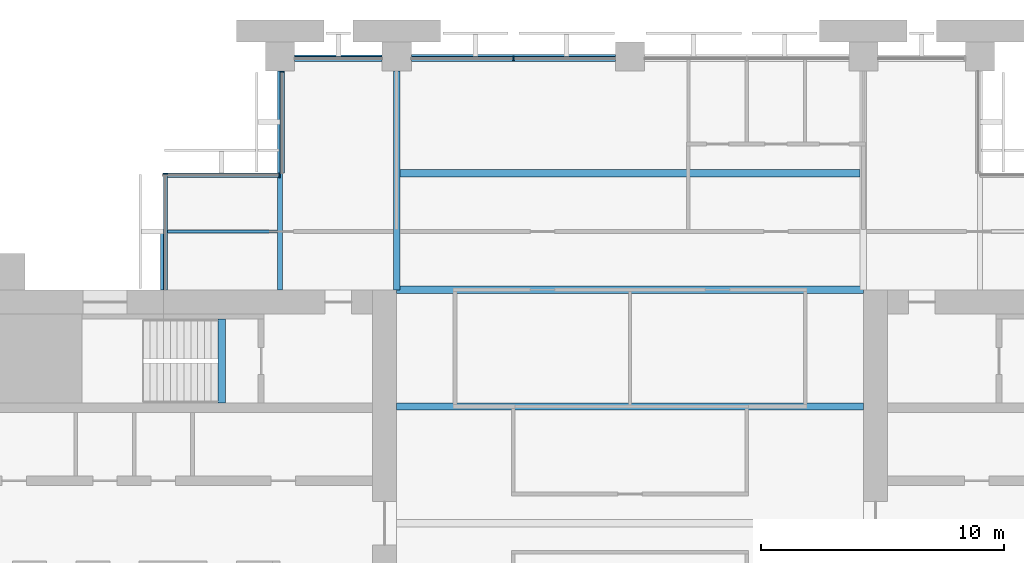
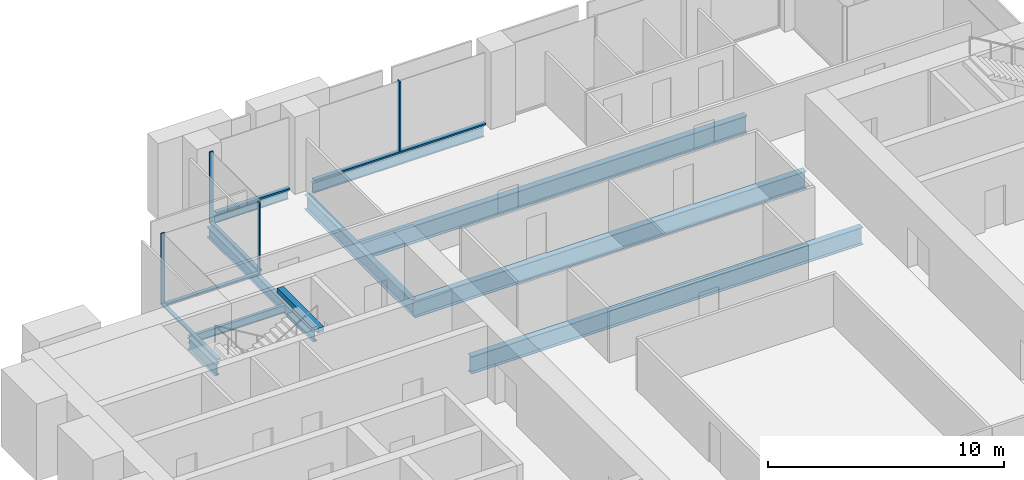
# One storey, part 5 of 13: 10 beams, 9 members, 4 elements without a shape of their own.
"""IFC4 building model written with IfcOpenShell, lengths in metres."""

import ifcopenshell
import ifcopenshell.guid

model = None  # the IFC model being written
_history = None  # IfcOwnerHistory: only IFC2X3 demands one
_inside = {}  # id of a spatial element -> (the spatial element, [elements in it])
_under = {}  # id of a project, library or spatial element -> (it, [spatial elements below it])
_declared = {}  # id of a project -> (the project, [libraries it declares])
_typed = {}  # id of a type object -> (the type object, [elements of that type])
_made_of = {}  # id of a material, layer set ... -> (it, [elements and type objects made of it])


def new_model(schema):
    """Start an empty IFC model of exactly this schema.

    Asked for "IFC4X3", IfcOpenShell would pick the latest addendum, in which some entities
    have other attributes; the version numbers below select the first issue.
    IFC2X3 requires an IfcOwnerHistory on every rooted entity: one is made here for all.
    """
    global model, _history
    if schema == "IFC4X3":
        model = ifcopenshell.file(schema_version=(4, 3, 0, 0))
    else:
        model = ifcopenshell.file(schema=schema)
    _inside.clear()
    _under.clear()
    _declared.clear()
    _typed.clear()
    _made_of.clear()
    _history = None
    if model.schema == "IFC2X3":
        org = make("IfcOrganization", Name="unknown")
        user = make(
            "IfcPersonAndOrganization",
            ThePerson=make("IfcPerson", FamilyName="unknown"),
            TheOrganization=org,
        )
        app = make(
            "IfcApplication",
            ApplicationDeveloper=org,
            Version="unknown",
            ApplicationFullName="unknown",
            ApplicationIdentifier="unknown",
        )
        _history = make(
            "IfcOwnerHistory",
            OwningUser=user,
            OwningApplication=app,
            ChangeAction="ADDED",
            CreationDate=0,
        )
    return model


def make(cls, **values):
    """One entity of the class cls with the attributes given. An attribute that is None is left unset."""
    return model.create_entity(
        cls, **{name: value for name, value in values.items() if value is not None}
    )


def rooted(cls, **values):
    """An entity with a GlobalId (a new one), such as an element, a storey or a relation."""
    return make(cls, GlobalId=ifcopenshell.guid.new(), OwnerHistory=_history, **values)


def si_unit(unit_type, name, prefix=None):
    """IfcSIUnit, for example si_unit("LENGTHUNIT", "METRE", prefix="MILLI")."""
    return make("IfcSIUnit", UnitType=unit_type, Prefix=prefix, Name=name)


def assignment(units):
    """IfcUnitAssignment: the units of a project."""
    return None if units is None else make("IfcUnitAssignment", Units=units)


def point(xyz):
    """IfcCartesianPoint."""
    return None if xyz is None else make("IfcCartesianPoint", Coordinates=xyz)


def direction(xyz):
    """IfcDirection."""
    return None if xyz is None else make("IfcDirection", DirectionRatios=xyz)


def frame(location, z_axis=None, x_axis=None):
    """IfcAxis2Placement3D, a coordinate frame: its origin and axes. An axis left out is left unset."""
    return make(
        "IfcAxis2Placement3D",
        Location=point(location),
        Axis=direction(z_axis),
        RefDirection=direction(x_axis),
    )


def frame_2d(location, x_axis=None):
    """IfcAxis2Placement2D, a coordinate frame in the plane: its origin and x axis."""
    return make(
        "IfcAxis2Placement2D", Location=point(location), RefDirection=direction(x_axis)
    )


def origin():
    """The frame at (0, 0, 0) with its axes left unset."""
    return frame((0.0, 0.0, 0.0))


def origin_2d():
    """The frame at (0, 0) in the plane with its x axis left unset."""
    return frame_2d((0.0, 0.0))


def place(relative_to, where):
    """IfcLocalPlacement: puts the frame where relative to a parent placement (None: the world)."""
    return make(
        "IfcLocalPlacement", PlacementRelTo=relative_to, RelativePlacement=where
    )


def context(
    kind, dimensions, precision=None, world=None, true_north=None, identifier=None
):
    """IfcGeometricRepresentationContext, for example the 3D "Model" context."""
    return make(
        "IfcGeometricRepresentationContext",
        ContextIdentifier=identifier,
        ContextType=kind,
        CoordinateSpaceDimension=dimensions,
        Precision=precision,
        WorldCoordinateSystem=world,
        TrueNorth=true_north,
    )


def subcontext(parent, identifier, kind, view, scale=None):
    """IfcGeometricRepresentationSubContext, for example "Body" below "Model"."""
    return make(
        "IfcGeometricRepresentationSubContext",
        ContextIdentifier=identifier,
        ContextType=kind,
        ParentContext=parent,
        TargetScale=scale,
        TargetView=view,
    )


def project(units=None, contexts=None):
    """IfcProject with its units and contexts."""
    return rooted(
        "IfcProject",
        Name="project",
        RepresentationContexts=contexts,
        UnitsInContext=assignment(units),
    )


def spatial(cls, under=None, at=None, **own):
    """A site, building, storey or space (cls), placed at a placement, below another one or the project."""
    s = rooted(cls, ObjectPlacement=at, **own)
    if under is not None:
        _under.setdefault(under.id(), (under, []))[1].append(s)
    return s


def profile(cls, at=None, kind="AREA", **sizes):
    """A parametric profile (cls). Its sizes go by their IFC names, for example OverallWidth=200.0."""
    return make(cls, ProfileType=kind, Position=at, **sizes)


def rectangle(**sizes):
    """IfcRectangleProfileDef."""
    return profile("IfcRectangleProfileDef", **sizes)


def i_section(**sizes):
    """IfcIShapeProfileDef."""
    return profile("IfcIShapeProfileDef", **sizes)


def extrude(swept, where, along, depth):
    """IfcExtrudedAreaSolid: the profile swept, set in the frame where, extruded along a direction by depth."""
    return make(
        "IfcExtrudedAreaSolid",
        SweptArea=swept,
        Position=where,
        ExtrudedDirection=direction(along),
        Depth=depth,
    )


def shape(context_of_items, identifier, shape_type, items):
    """IfcShapeRepresentation: the items that make up one representation, for example the "Body"."""
    return make(
        "IfcShapeRepresentation",
        ContextOfItems=context_of_items,
        RepresentationIdentifier=identifier,
        RepresentationType=shape_type,
        Items=items,
    )


def material(Name=None, Category=None):
    """IfcMaterial."""
    return make("IfcMaterial", Name=Name, Category=Category)


def material_profile(
    of_material, cross_section, Name=None, Category=None, Priority=None
):
    """IfcMaterialProfile: a cross section and its material."""
    return make(
        "IfcMaterialProfile",
        Name=Name,
        Material=of_material,
        Profile=cross_section,
        Priority=Priority,
        Category=Category,
    )


def profile_set(profiles, Name=None, composite=None):
    """IfcMaterialProfileSet."""
    return make(
        "IfcMaterialProfileSet",
        Name=Name,
        MaterialProfiles=profiles,
        CompositeProfile=composite,
    )


def made_of(thing, what):
    """Note that an element or type object is made of a material, layer set ...; save() writes the relation."""
    if what is not None:
        _made_of.setdefault(what.id(), (what, []))[1].append(thing)
    return thing


def type_object(cls, material=None, **own):
    """A type object (cls), such as IfcWallType, which elements share."""
    return made_of(rooted(cls, **own), material)


def element(
    cls,
    number,
    at=None,
    inside=None,
    cuts=None,
    type_object=None,
    material=None,
    context=None,
    identifier="Body",
    shape_type=None,
    held_by="IfcProductDefinitionShape",
    body=None,
    shapes=None,
    **own,
):
    """One element of the class cls, such as IfcWall. Its Tag is "e" and its number.

    at: its placement. inside: the storey or other place that contains it. cuts: it is an
    opening in that element (IfcRelVoidsElement). A single representation is given by context,
    identifier, shape_type and body (its items); several are given by shapes. held_by: the class
    of the entity that holds the representations. save() writes the other relations.
    """
    e = rooted(cls, Tag="e%d" % number, ObjectPlacement=at, **own)
    if body is not None:
        shapes = [shape(context, identifier, shape_type, body)]
    if shapes is not None:
        e.Representation = make(held_by, Representations=shapes)
    if inside is not None:
        _inside.setdefault(inside.id(), (inside, []))[1].append(e)
    if cuts is not None:
        rooted(
            "IfcRelVoidsElement", RelatingBuildingElement=cuts, RelatedOpeningElement=e
        )
    if type_object is not None:
        _typed.setdefault(type_object.id(), (type_object, []))[1].append(e)
    return made_of(e, material)


def aggregate(whole, parts):
    """IfcRelAggregates: a whole, such as a stair, and the parts it consists of."""
    return rooted("IfcRelAggregates", RelatingObject=whole, RelatedObjects=parts)


def save(model, path):
    """Write the relations noted so far, then the file.

    IfcRelAggregates (storeys below a building ...), IfcRelContainedInSpatialStructure (elements
    in a storey), IfcRelDefinesByType, IfcRelAssociatesMaterial and IfcRelDeclares: one each for
    every whole, place, type object, material and project.
    """
    for whole, parts in _under.values():
        aggregate(whole, parts)
    for where, things in _inside.values():
        rooted(
            "IfcRelContainedInSpatialStructure",
            RelatedElements=things,
            RelatingStructure=where,
        )
    for kind, things in _typed.values():
        rooted("IfcRelDefinesByType", RelatedObjects=things, RelatingType=kind)
    for what, things in _made_of.values():
        rooted("IfcRelAssociatesMaterial", RelatedObjects=things, RelatingMaterial=what)
    for by, libraries in _declared.values():
        rooted("IfcRelDeclares", RelatingContext=by, RelatedDefinitions=libraries)
    model.write(path)


model = new_model("IFC4")

# Units and contexts
model_context = context("Model", 3, precision=1e-05, world=origin(), true_north=direction((0.0, 1.0)))
body_context = subcontext(model_context, "Body", "Model", "MODEL_VIEW")
ifc_project = project(units=[si_unit("LENGTHUNIT", "METRE"), si_unit("AREAUNIT", "SQUARE_METRE"), si_unit("VOLUMEUNIT", "CUBIC_METRE"), si_unit("PLANEANGLEUNIT", "RADIAN"), si_unit("MASSUNIT", "GRAM", prefix="KILO")], contexts=[model_context])

# Site, building, storey
site_placement = place(None, origin())
site = spatial("IfcSite", under=ifc_project, at=site_placement, CompositionType="ELEMENT")
building_placement = place(site_placement, origin())
building = spatial("IfcBuilding", under=site, at=building_placement, Name="Baori Bourse Tower", CompositionType="ELEMENT")
storey_placement = place(building_placement, frame((0.0, 0.0, 172.10009765625)))
storey = spatial("IfcBuildingStorey", under=building, at=storey_placement, Name="L38", CompositionType="ELEMENT", Elevation=172.10009765625)

# Curtain wall, members
ifc_material_1 = material(Name="Pale anodised aluminium", Category="aluminium")
curtain_wall_type_1 = type_object("IfcCurtainWallType", Name="CW1 Curtain wall", PredefinedType="NOTDEFINED", material=ifc_material_1)
curtain_wall_1_placement = place(storey_placement, origin())
curtain_wall_1 = element("IfcCurtainWall", 1, at=curtain_wall_1_placement, inside=storey, type_object=curtain_wall_type_1, Name="Curtain wall CW1 L38 4", PredefinedType="NOTDEFINED")
ifc_material_2 = material(Name="Pale anodised aluminium", Category="aluminium")
ifc_material_profile_1 = material_profile(ifc_material_2, rectangle(XDim=0.199951171875, YDim=0.06005859375, at=origin_2d()), Name="Mullion 60x200")
ifc_profile_set_1 = profile_set([ifc_material_profile_1], Name="Pale anodised aluminium")
member_type_1 = type_object("IfcMemberType", Name="CW1 Curtain wall mullion", PredefinedType="MULLION", material=ifc_profile_set_1)
member_1_placement = place(storey_placement, frame((24.0, 47.89990234375, 0.079833984375), z_axis=(0.0, 0.0, 1.0), x_axis=(0.0, -1.0, 0.0)))
member_1 = element("IfcMember", 2, at=member_1_placement, type_object=member_type_1, Name="Curtain wall CW1 mullion", PredefinedType="MULLION", context=body_context, shape_type="SweptSolid", body=[
    extrude(rectangle(XDim=0.199951171875, YDim=0.06005859375, at=origin_2d()), origin(), (0.0, 0.0, 1.0), 3.6201171875),
])
ifc_material_3 = material(Name="Pale anodised aluminium", Category="aluminium")
ifc_material_profile_2 = material_profile(ifc_material_3, rectangle(XDim=0.199951171875, YDim=0.080078125, at=origin_2d()), Name="Transom 80x200")
ifc_profile_set_2 = profile_set([ifc_material_profile_2], Name="Pale anodised aluminium")
member_type_2 = type_object("IfcMemberType", Name="CW1 Curtain wall transom", PredefinedType="USERDEFINED", material=ifc_profile_set_2)
member_2_placement = place(storey_placement, frame((28.199951171875, 47.89990234375, 0.039794921875), z_axis=(-1.0, 0.0, 0.0), x_axis=(0.0, -1.0, 0.0)))
member_2 = element("IfcMember", 3, at=member_2_placement, type_object=member_type_2, Name="Curtain wall CW1 sill rail", ObjectType="TRANSOM", PredefinedType="USERDEFINED", context=body_context, shape_type="SweptSolid", body=[
    extrude(rectangle(XDim=0.199951171875, YDim=0.080078125, at=origin_2d()), origin(), (0.0, 0.0, 1.0), 8.39990234375),
])
member_3_placement = place(storey_placement, frame((18.60009765625, 47.89990234375, 0.039794921875), z_axis=(-1.0, 0.0, 0.0), x_axis=(0.0, -1.0, 0.0)))
member_3 = element("IfcMember", 4, at=member_3_placement, type_object=member_type_2, Name="Curtain wall CW1 sill rail", ObjectType="TRANSOM", PredefinedType="USERDEFINED", context=body_context, shape_type="SweptSolid", body=[
    extrude(rectangle(XDim=0.199951171875, YDim=0.080078125, at=origin_2d()), origin(), (0.0, 0.0, 1.0), 3.60009765625),
])
aggregate(curtain_wall_1, [member_2, member_1, member_3])

# Curtain wall, member
ifc_material_4 = material(Name="Pale anodised aluminium", Category="aluminium")
curtain_wall_type_2 = type_object("IfcCurtainWallType", Name="CW2 Curtain wall", PredefinedType="NOTDEFINED", material=ifc_material_4)
curtain_wall_2_placement = place(storey_placement, origin())
curtain_wall_2 = element("IfcCurtainWall", 5, at=curtain_wall_2_placement, inside=storey, type_object=curtain_wall_type_2, Name="Curtain wall CW2 L38 5", PredefinedType="NOTDEFINED")
ifc_material_5 = material(Name="Pale anodised aluminium", Category="aluminium")
ifc_material_profile_3 = material_profile(ifc_material_5, rectangle(XDim=0.179931640625, YDim=0.054931640625, at=origin_2d()), Name="Mullion 55x180")
ifc_profile_set_3 = profile_set([ifc_material_profile_3], Name="Pale anodised aluminium")
member_type_3 = type_object("IfcMemberType", Name="CW2 Curtain wall mullion", PredefinedType="MULLION", material=ifc_profile_set_3)
member_4_placement = place(storey_placement, frame((14.489990234375, 47.37255859375, 0.06982421875), z_axis=(0.0, 0.0, 1.0), x_axis=(1.0, 0.0, 0.0)))
member_4 = element("IfcMember", 6, at=member_4_placement, type_object=member_type_3, Name="Curtain wall CW2 mullion", PredefinedType="MULLION", context=body_context, shape_type="SweptSolid", body=[
    extrude(rectangle(XDim=0.179931640625, YDim=0.054931640625, at=origin_2d()), origin(), (0.0, 0.0, 1.0), 3.630126953125),
])

curtain_wall_3_placement = place(storey_placement, origin())
curtain_wall_3 = element("IfcCurtainWall", 7, at=curtain_wall_3_placement, inside=storey, type_object=curtain_wall_type_2, Name="Curtain wall CW2 L38 6", PredefinedType="NOTDEFINED")
member_5_placement = place(storey_placement, frame((14.37255859375, 43.110107421875, 0.06982421875), z_axis=(0.0, 0.0, 1.0), x_axis=(0.0, -1.0, 0.0)))
member_5 = element("IfcMember", 8, at=member_5_placement, type_object=member_type_3, Name="Curtain wall CW2 mullion", PredefinedType="MULLION", context=body_context, shape_type="SweptSolid", body=[
    extrude(rectangle(XDim=0.179931640625, YDim=0.054931640625, at=origin_2d()), origin(), (0.0, 0.0, 1.0), 3.630126953125),
])

curtain_wall_4_placement = place(storey_placement, origin())
curtain_wall_4 = element("IfcCurtainWall", 9, at=curtain_wall_4_placement, inside=storey, type_object=curtain_wall_type_2, Name="Curtain wall CW2 L38 7", PredefinedType="NOTDEFINED")
member_6_placement = place(storey_placement, frame((9.68994140625, 43.172607421875, 0.06982421875), z_axis=(0.0, 0.0, 1.0), x_axis=(1.0, 0.0, 0.0)))
member_6 = element("IfcMember", 10, at=member_6_placement, type_object=member_type_3, Name="Curtain wall CW2 mullion", PredefinedType="MULLION", context=body_context, shape_type="SweptSolid", body=[
    extrude(rectangle(XDim=0.179931640625, YDim=0.054931640625, at=origin_2d()), origin(), (0.0, 0.0, 1.0), 3.630126953125),
])

# Member
ifc_material_6 = material(Name="Pale anodised aluminium", Category="aluminium")
ifc_material_profile_4 = material_profile(ifc_material_6, rectangle(XDim=0.179931640625, YDim=0.070068359375, at=origin_2d()), Name="Transom 70x180")
ifc_profile_set_4 = profile_set([ifc_material_profile_4], Name="Pale anodised aluminium")
member_type_4 = type_object("IfcMemberType", Name="CW2 Curtain wall transom", PredefinedType="USERDEFINED", material=ifc_profile_set_4)
member_7_placement = place(storey_placement, frame((14.489990234375, 47.39990234375, 0.034912109375), z_axis=(0.0, -1.0, 0.0), x_axis=(1.0, 0.0, 0.0)))
member_7 = element("IfcMember", 11, at=member_7_placement, type_object=member_type_4, Name="Curtain wall CW2 sill rail", ObjectType="TRANSOM", PredefinedType="USERDEFINED", context=body_context, shape_type="SweptSolid", body=[
    extrude(rectangle(XDim=0.179931640625, YDim=0.070068359375, at=origin_2d()), origin(), (0.0, 0.0, 1.0), 4.199951171875),
])

aggregate(curtain_wall_2, [member_7, member_4])

member_8_placement = place(storey_placement, frame((14.39990234375, 43.110107421875, 0.034912109375), z_axis=(-1.0, 0.0, 0.0), x_axis=(0.0, -1.0, 0.0)))
member_8 = element("IfcMember", 12, at=member_8_placement, type_object=member_type_4, Name="Curtain wall CW2 sill rail", ObjectType="TRANSOM", PredefinedType="USERDEFINED", context=body_context, shape_type="SweptSolid", body=[
    extrude(rectangle(XDim=0.179931640625, YDim=0.070068359375, at=origin_2d()), origin(), (0.0, 0.0, 1.0), 4.7998046875),
])

aggregate(curtain_wall_3, [member_8, member_5])

member_9_placement = place(storey_placement, frame((9.68994140625, 43.199951171875, 0.034912109375), z_axis=(0.0, -1.0, 0.0), x_axis=(1.0, 0.0, 0.0)))
member_9 = element("IfcMember", 13, at=member_9_placement, type_object=member_type_4, Name="Curtain wall CW2 sill rail", ObjectType="TRANSOM", PredefinedType="USERDEFINED", context=body_context, shape_type="SweptSolid", body=[
    extrude(rectangle(XDim=0.179931640625, YDim=0.070068359375, at=origin_2d()), origin(), (0.0, 0.0, 1.0), 4.800048828125),
])

aggregate(curtain_wall_4, [member_9, member_6])

# Beams
ifc_material_7 = material(Name="Steel A992 Gr 50", Category="steel")
ifc_material_profile_5 = material_profile(ifc_material_7, i_section(OverallWidth=0.227783203125, OverallDepth=0.60205078125, WebThickness=0.010498046875, FlangeThickness=0.014892578125, at=origin_2d()), Name="W24x68")
ifc_profile_set_5 = profile_set([ifc_material_profile_5], Name="Steel A992 Gr 50")
beam_type_1 = type_object("IfcBeamType", Name="Core bracket W24x68", PredefinedType="BEAM", material=ifc_profile_set_5)
beam_1_placement = place(storey_placement, frame((9.60009765625, 38.39990234375, -0.461181640625), z_axis=(0.0, 1.0, 0.0), x_axis=(-1.0, 0.0, 0.0)))
element("IfcBeam", 14, at=beam_1_placement, inside=storey, type_object=beam_type_1, Name="Core bracket L38", PredefinedType="BEAM", context=body_context, shape_type="SweptSolid", body=[
    extrude(i_section(OverallWidth=0.227783203125, OverallDepth=0.60205078125, WebThickness=0.010498046875, FlangeThickness=0.014892578125, at=origin_2d()), origin(), (0.0, 0.0, 1.0), 2.329833984375),
])
ifc_material_8 = material(Name="Steel A992 Gr 50", Category="steel")
ifc_material_profile_6 = material_profile(ifc_material_8, i_section(OverallWidth=0.140380859375, OverallDepth=0.40380859375, WebThickness=0.007080078125, FlangeThickness=0.01123046875, at=origin_2d()), Name="W16x31")
ifc_profile_set_6 = profile_set([ifc_material_profile_6], Name="Steel A992 Gr 50")
beam_type_2 = type_object("IfcBeamType", Name="Edge beam W16x31", PredefinedType="BEAM", material=ifc_profile_set_6)
beam_2_placement = place(storey_placement, frame((15.0, 48.0, -0.362060546875), z_axis=(1.0, 0.0, 0.0), x_axis=(0.0, 1.0, 0.0)))
element("IfcBeam", 15, at=beam_2_placement, inside=storey, type_object=beam_type_2, Name="Edge beam L38", PredefinedType="BEAM", context=body_context, shape_type="SweptSolid", body=[
    extrude(i_section(OverallWidth=0.140380859375, OverallDepth=0.40380859375, WebThickness=0.007080078125, FlangeThickness=0.01123046875, at=origin_2d()), origin(), (0.0, 0.0, 1.0), 3.60009765625),
])
ifc_material_9 = material(Name="Steel A992 Gr 50", Category="steel")
ifc_material_profile_7 = material_profile(ifc_material_9, i_section(OverallWidth=0.1650390625, OverallDepth=0.52587890625, WebThickness=0.0087890625, FlangeThickness=0.011474609375, at=origin_2d()), Name="W21x44")
ifc_profile_set_7 = profile_set([ifc_material_profile_7], Name="Steel A992 Gr 50")
beam_type_3 = type_object("IfcBeamType", Name="Edge beam W21x44", PredefinedType="BEAM", material=ifc_profile_set_7)
beam_3_placement = place(storey_placement, frame((19.800048828125, 48.0, -0.423095703125), z_axis=(1.0, 0.0, 0.0), x_axis=(0.0, 1.0, 0.0)))
element("IfcBeam", 16, at=beam_3_placement, inside=storey, type_object=beam_type_3, Name="Edge beam L38", PredefinedType="BEAM", context=body_context, shape_type="SweptSolid", body=[
    extrude(i_section(OverallWidth=0.1650390625, OverallDepth=0.52587890625, WebThickness=0.0087890625, FlangeThickness=0.011474609375, at=origin_2d()), origin(), (0.0, 0.0, 1.0), 8.39990234375),
])
ifc_material_10 = material(Name="Steel A992 Gr 50", Category="steel")
ifc_material_profile_8 = material_profile(ifc_material_10, i_section(OverallWidth=0.209228515625, OverallDepth=0.533447265625, WebThickness=0.01025390625, FlangeThickness=0.015625, at=origin_2d()), Name="W21x62")
ifc_profile_set_8 = profile_set([ifc_material_profile_8], Name="Steel A992 Gr 50")
beam_type_4 = type_object("IfcBeamType", Name="Floor beam W21x62", PredefinedType="BEAM", material=ifc_profile_set_8)
beam_4_placement = place(storey_placement, frame((14.39990234375, 38.39990234375, -0.4267578125), z_axis=(0.0, 1.0, 0.0), x_axis=(-1.0, 0.0, 0.0)))
element("IfcBeam", 17, at=beam_4_placement, inside=storey, type_object=beam_type_4, Name="Floor beam L38", PredefinedType="BEAM", context=body_context, shape_type="SweptSolid", body=[
    extrude(i_section(OverallWidth=0.209228515625, OverallDepth=0.533447265625, WebThickness=0.01025390625, FlangeThickness=0.015625, at=origin_2d()), origin(), (0.0, 0.0, 1.0), 9.0),
])
ifc_material_11 = material(Name="Steel A992 Gr 50", Category="steel")
ifc_material_profile_9 = material_profile(ifc_material_11, i_section(OverallWidth=0.3046875, OverallDepth=0.904296875, WebThickness=0.01513671875, FlangeThickness=0.02001953125, at=origin_2d()), Name="W36x135")
ifc_profile_set_9 = profile_set([ifc_material_profile_9], Name="Steel A992 Gr 50")
beam_type_5 = type_object("IfcBeamType", Name="Floor beam W36x135", PredefinedType="BEAM", material=ifc_profile_set_9)
for number, where, z_axis, x_axis, name in (
    (18, (19.199951171875, 33.60009765625, -0.6123046875), (1.0, 0.0, 0.0), (0.0, 1.0, 0.0), "Floor beam L38"),
    (19, (19.199951171875, 38.39990234375, -0.6123046875), (1.0, 0.0, 0.0), (0.0, 1.0, 0.0), "Floor beam L38"),
):
    element("IfcBeam", number, at=place(storey_placement, frame(where, z_axis=z_axis, x_axis=x_axis)), inside=storey, type_object=beam_type_5, Name=name, PredefinedType="BEAM", context=body_context, shape_type="SweptSolid", body=[
        extrude(i_section(OverallWidth=0.3046875, OverallDepth=0.904296875, WebThickness=0.01513671875, FlangeThickness=0.02001953125, at=origin_2d()), origin(), (0.0, 0.0, 1.0), 19.199951171875),
    ])
beam_5_placement = place(storey_placement, frame((19.33203125, 43.199951171875, -0.6123046875), z_axis=(1.0, 0.0, 0.0), x_axis=(0.0, 1.0, 0.0)))
element("IfcBeam", 20, at=beam_5_placement, inside=storey, type_object=beam_type_5, Name="Floor beam L38", PredefinedType="BEAM", context=body_context, shape_type="SweptSolid", body=[
    extrude(i_section(OverallWidth=0.3046875, OverallDepth=0.904296875, WebThickness=0.01513671875, FlangeThickness=0.02001953125, at=origin_2d()), origin(), (0.0, 0.0, 1.0), 18.935791015625),
])
ifc_material_12 = material(Name="Steel A992 Gr 50", Category="steel")
ifc_material_profile_10 = material_profile(ifc_material_12, i_section(OverallWidth=0.26416015625, OverallDepth=0.749267578125, WebThickness=0.011962890625, FlangeThickness=0.015380859375, at=origin_2d()), Name="W30x90")
ifc_profile_set_10 = profile_set([ifc_material_profile_10], Name="Steel A992 Gr 50")
beam_type_6 = type_object("IfcBeamType", Name="Girder W30x90", PredefinedType="BEAM", material=ifc_profile_set_10)
beam_6_placement = place(storey_placement, frame((19.199951171875, 38.39990234375, -0.53466796875), z_axis=(0.0, 1.0, 0.0), x_axis=(-1.0, 0.0, 0.0)))
element("IfcBeam", 21, at=beam_6_placement, inside=storey, type_object=beam_type_6, Name="Girder L38", PredefinedType="BEAM", context=body_context, shape_type="SweptSolid", body=[
    extrude(i_section(OverallWidth=0.26416015625, OverallDepth=0.749267578125, WebThickness=0.011962890625, FlangeThickness=0.015380859375, at=origin_2d()), origin(), (0.0, 0.0, 1.0), 9.0),
])
ifc_material_13 = material(Name="Concrete f'c 50 MPa", Category="concrete")
ifc_material_profile_11 = material_profile(ifc_material_13, rectangle(XDim=0.300048828125, YDim=0.25, at=origin_2d()), Name="RC 300x250")
ifc_profile_set_11 = profile_set([ifc_material_profile_11], Name="Concrete f'c 50 MPa")
beam_type_7 = type_object("IfcBeamType", Name="Stair nib beam RC 300x250", PredefinedType="BEAM", material=ifc_profile_set_11)
beam_7_placement = place(storey_placement, frame((12.0, 33.75, 3.574951171875), z_axis=(0.0, 1.0, 0.0), x_axis=(-1.0, 0.0, 0.0)))
element("IfcBeam", 22, at=beam_7_placement, inside=storey, type_object=beam_type_7, Name="Stair WB nib beam L39", PredefinedType="BEAM", context=body_context, shape_type="SweptSolid", body=[
    extrude(rectangle(XDim=0.300048828125, YDim=0.25, at=origin_2d()), origin(), (0.0, 0.0, 1.0), 3.449951171875),
])
ifc_material_14 = material(Name="Steel A992 Gr 50", Category="steel")
ifc_material_profile_12 = material_profile(ifc_material_14, i_section(OverallWidth=0.140380859375, OverallDepth=0.40380859375, WebThickness=0.007080078125, FlangeThickness=0.01123046875, at=origin_2d()), Name="W16x31")
ifc_profile_set_12 = profile_set([ifc_material_profile_12], Name="Steel A992 Gr 50")
beam_type_8 = type_object("IfcBeamType", Name="Trimmer beam W16x31", PredefinedType="BEAM", material=ifc_profile_set_12)
beam_8_placement = place(storey_placement, frame((9.60009765625, 40.800048828125, -0.362060546875), z_axis=(1.0, 0.0, 0.0), x_axis=(0.0, 1.0, 0.0)))
element("IfcBeam", 23, at=beam_8_placement, inside=storey, type_object=beam_type_8, Name="Trimmer beam L38", PredefinedType="BEAM", context=body_context, shape_type="SweptSolid", body=[
    extrude(i_section(OverallWidth=0.140380859375, OverallDepth=0.40380859375, WebThickness=0.007080078125, FlangeThickness=0.01123046875, at=origin_2d()), origin(), (0.0, 0.0, 1.0), 4.6953125),
])

save(model, "model.ifc")
